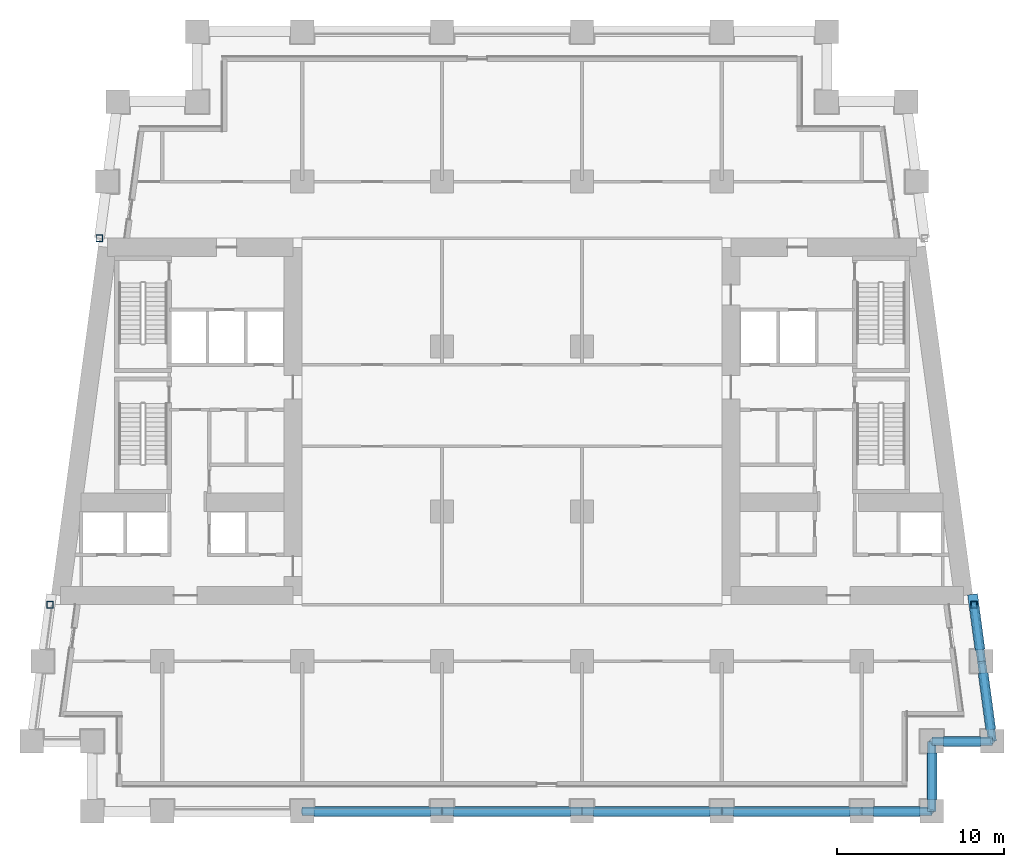
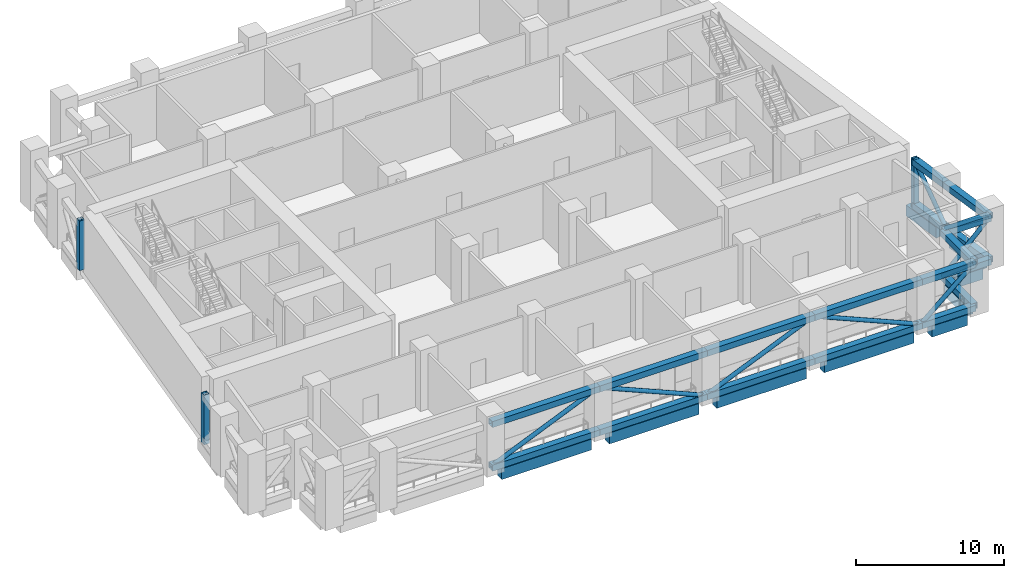
# One storey, part 2 of 12: 30 members, 9 beams.
"""IFC4 building model written with IfcOpenShell, lengths in metres."""

from ifc_helpers import new_model, si_unit, direction, frame, origin, origin_2d, place, context, subcontext, project, spatial, rectangle, hollow_rectangle, hollow_circle, extrude, material, material_profile, profile_set, type_object, element, save


model = new_model("IFC4")

# Units and contexts
model_context = context("Model", 3, precision=1e-05, world=origin(), true_north=direction((0.0, 1.0)))
body_context = subcontext(model_context, "Body", "Model", "MODEL_VIEW")
ifc_project = project(units=[si_unit("LENGTHUNIT", "METRE"), si_unit("AREAUNIT", "SQUARE_METRE"), si_unit("VOLUMEUNIT", "CUBIC_METRE"), si_unit("PLANEANGLEUNIT", "RADIAN"), si_unit("MASSUNIT", "GRAM", prefix="KILO")], contexts=[model_context])

# Site, building, storey
site_placement = place(None, origin())
site = spatial("IfcSite", under=ifc_project, at=site_placement, CompositionType="ELEMENT")
building_placement = place(site_placement, origin())
building = spatial("IfcBuilding", under=site, at=building_placement, Name="Candeia Pilgrim Tower and Theatre", CompositionType="ELEMENT")
storey_placement = place(building_placement, frame((0.0, 0.0, 81.0)))
storey = spatial("IfcBuildingStorey", under=building, at=storey_placement, Name="L18", CompositionType="ELEMENT", Elevation=81.0)

# Members
ifc_material_1 = material(Name="Structural steel ASTM A572 Grade 50", Category="steel")
ifc_material_profile_1 = material_profile(ifc_material_1, hollow_rectangle(XDim=0.39990234375, YDim=0.39990234375, WallThickness=0.02490234375, at=origin_2d()))
ifc_profile_set_1 = profile_set([ifc_material_profile_1], Name="Structural steel ASTM A572 Grade 50")
member_type_1 = type_object("IfcMemberType", Name="BOX 400x400x25 post", PredefinedType="POST", material=ifc_profile_set_1)
for number, where, z_axis, x_axis, name in (
    (1, (141.130859375, 110.39990234375, 0.0), (0.0, 0.0, 1.0), (1.0, 0.0, 0.0), "Belt truss post TBL18"),
    (2, (88.630859375, 132.39990234375, 0.0), (0.0, 0.0, 1.0), (1.0, 0.0, 0.0), "Belt truss post TBL18"),
    (3, (85.669189453125, 110.39990234375, 0.0), (0.0, 0.0, 1.0), (1.0, 0.0, 0.0), "Belt truss post TBL18"),
):
    element("IfcMember", number, at=place(storey_placement, frame(where, z_axis=z_axis, x_axis=x_axis)), inside=storey, type_object=member_type_1, Name=name, PredefinedType="POST", context=body_context, shape_type="SweptSolid", body=[
        extrude(hollow_rectangle(XDim=0.39990234375, YDim=0.39990234375, WallThickness=0.02490234375, at=origin_2d()), origin(), (0.0, 0.0, 1.0), 4.10009765625),
    ])
ifc_material_profile_2 = material_profile(ifc_material_1, hollow_rectangle(XDim=0.5, YDim=0.5, WallThickness=0.031982421875, at=origin_2d()))
ifc_profile_set_2 = profile_set([ifc_material_profile_2], Name="Structural steel ASTM A572 Grade 50")
member_type_2 = type_object("IfcMemberType", Name="BOX 500x500x32 chord", PredefinedType="CHORD", material=ifc_profile_set_2)
for number, where, z_axis, x_axis, name in (
    (4, (100.800048828125, 98.0, 0.25), (1.0, 0.0, 0.0), (0.0, 1.0, 0.0), "Belt truss bottom chord TBL18"),
    (5, (100.800048828125, 98.0, 3.85009765625), (1.0, 0.0, 0.0), (0.0, 1.0, 0.0), "Belt truss top chord TBL18"),
):
    element("IfcMember", number, at=place(storey_placement, frame(where, z_axis=z_axis, x_axis=x_axis)), inside=storey, type_object=member_type_2, Name=name, PredefinedType="CHORD", context=body_context, shape_type="SweptSolid", body=[
        extrude(hollow_rectangle(XDim=0.5, YDim=0.5, WallThickness=0.031982421875, at=origin_2d()), origin(), (0.0, 0.0, 1.0), 8.39990234375),
    ])
for number, where, z_axis, x_axis, name in (
    (6, (109.199951171875, 98.0, 0.25), (1.0, 0.0, 0.0), (0.0, 1.0, 0.0), "Belt truss bottom chord TBL18"),
    (7, (109.199951171875, 98.0, 3.85009765625), (1.0, 0.0, 0.0), (0.0, 1.0, 0.0), "Belt truss top chord TBL18"),
):
    element("IfcMember", number, at=place(storey_placement, frame(where, z_axis=z_axis, x_axis=x_axis)), inside=storey, type_object=member_type_2, Name=name, PredefinedType="CHORD", context=body_context, shape_type="SweptSolid", body=[
        extrude(hollow_rectangle(XDim=0.5, YDim=0.5, WallThickness=0.031982421875, at=origin_2d()), origin(), (0.0, 0.0, 1.0), 8.400146484375),
    ])
for number, where, z_axis, x_axis, name in (
    (8, (117.60009765625, 98.0, 0.25), (1.0, 0.0, 0.0), (0.0, 1.0, 0.0), "Belt truss bottom chord TBL18"),
    (9, (117.60009765625, 98.0, 3.85009765625), (1.0, 0.0, 0.0), (0.0, 1.0, 0.0), "Belt truss top chord TBL18"),
    (10, (126.0, 98.0, 0.25), (1.0, 0.0, 0.0), (0.0, 1.0, 0.0), "Belt truss bottom chord TBL18"),
    (11, (126.0, 98.0, 3.85009765625), (1.0, 0.0, 0.0), (0.0, 1.0, 0.0), "Belt truss top chord TBL18"),
):
    element("IfcMember", number, at=place(storey_placement, frame(where, z_axis=z_axis, x_axis=x_axis)), inside=storey, type_object=member_type_2, Name=name, PredefinedType="CHORD", context=body_context, shape_type="SweptSolid", body=[
        extrude(hollow_rectangle(XDim=0.5, YDim=0.5, WallThickness=0.031982421875, at=origin_2d()), origin(), (0.0, 0.0, 1.0), 8.39990234375),
    ])
for number, where, z_axis, x_axis, name in (
    (12, (134.39990234375, 98.0, 0.25), (1.0, 0.0, 0.0), (0.0, 1.0, 0.0), "Belt truss bottom chord TBL18"),
    (13, (134.39990234375, 98.0, 3.85009765625), (1.0, 0.0, 0.0), (0.0, 1.0, 0.0), "Belt truss top chord TBL18"),
):
    element("IfcMember", number, at=place(storey_placement, frame(where, z_axis=z_axis, x_axis=x_axis)), inside=storey, type_object=member_type_2, Name=name, PredefinedType="CHORD", context=body_context, shape_type="SweptSolid", body=[
        extrude(hollow_rectangle(XDim=0.5, YDim=0.5, WallThickness=0.031982421875, at=origin_2d()), origin(), (0.0, 0.0, 1.0), 4.2001953125),
    ])
for number, where, z_axis, x_axis, name in (
    (14, (138.60009765625, 98.0, 0.25), (0.0, 1.0, 0.0), (-1.0, 0.0, 0.0), "Belt truss bottom chord TBL18"),
    (15, (138.60009765625, 98.0, 3.85009765625), (0.0, 1.0, 0.0), (-1.0, 0.0, 0.0), "Belt truss top chord TBL18"),
):
    element("IfcMember", number, at=place(storey_placement, frame(where, z_axis=z_axis, x_axis=x_axis)), inside=storey, type_object=member_type_2, Name=name, PredefinedType="CHORD", context=body_context, shape_type="SweptSolid", body=[
        extrude(hollow_rectangle(XDim=0.5, YDim=0.5, WallThickness=0.031982421875, at=origin_2d()), origin(), (0.0, 0.0, 1.0), 4.199951171875),
    ])
for number, where, z_axis, x_axis, name in (
    (16, (138.60009765625, 102.199951171875, 0.25), (1.0, 0.0, 0.0), (0.0, 1.0, 0.0), "Belt truss bottom chord TBL18"),
    (17, (138.60009765625, 102.199951171875, 3.85009765625), (1.0, 0.0, 0.0), (0.0, 1.0, 0.0), "Belt truss top chord TBL18"),
):
    element("IfcMember", number, at=place(storey_placement, frame(where, z_axis=z_axis, x_axis=x_axis)), inside=storey, type_object=member_type_2, Name=name, PredefinedType="CHORD", context=body_context, shape_type="SweptSolid", body=[
        extrude(hollow_rectangle(XDim=0.5, YDim=0.5, WallThickness=0.031982421875, at=origin_2d()), origin(), (0.0, 0.0, 1.0), 3.634521484375),
    ])
for number, where, z_axis, x_axis, name in (
    (18, (142.234619140625, 102.199951171875, 0.25), (-0.133428198131, 0.991058482605, 0.0), (-0.991058482605, -0.133428198131, 0.0), "Belt truss bottom chord TBL18"),
    (19, (142.234619140625, 102.199951171875, 3.85009765625), (-0.133428198131, 0.991058482605, 0.0), (-0.991058482605, -0.133428198131, 0.0), "Belt truss top chord TBL18"),
):
    element("IfcMember", number, at=place(storey_placement, frame(where, z_axis=z_axis, x_axis=x_axis)), inside=storey, type_object=member_type_2, Name=name, PredefinedType="CHORD", context=body_context, shape_type="SweptSolid", body=[
        extrude(hollow_rectangle(XDim=0.5, YDim=0.5, WallThickness=0.031982421875, at=origin_2d()), origin(), (0.0, 0.0, 1.0), 4.84326171875),
    ])
for number, where, z_axis, x_axis, name in (
    (20, (141.58837890625, 107.0, 0.25), (-0.13336630817, 0.991066813008, 0.0), (-0.991066813008, -0.13336630817, 0.0), "Belt truss bottom chord TBL18"),
    (21, (141.58837890625, 107.0, 3.85009765625), (-0.13336630817, 0.991066813008, 0.0), (-0.991066813008, -0.13336630817, 0.0), "Belt truss top chord TBL18"),
):
    element("IfcMember", number, at=place(storey_placement, frame(where, z_axis=z_axis, x_axis=x_axis)), inside=storey, type_object=member_type_2, Name=name, PredefinedType="CHORD", context=body_context, shape_type="SweptSolid", body=[
        extrude(hollow_rectangle(XDim=0.5, YDim=0.5, WallThickness=0.031982421875, at=origin_2d()), origin(), (0.0, 0.0, 1.0), 3.4306640625),
    ])
ifc_material_profile_3 = material_profile(ifc_material_1, hollow_circle(Radius=0.161865234375, WallThickness=0.012451171875, at=origin_2d()))
ifc_profile_set_3 = profile_set([ifc_material_profile_3], Name="Structural steel ASTM A572 Grade 50")
member_type_3 = type_object("IfcMemberType", Name="CHS 324x12.5 brace", PredefinedType="BRACE", material=ifc_profile_set_3)
member_1_placement = place(storey_placement, frame((100.800048828125, 98.0, 0.25), z_axis=(0.919139502787, 0.0, 0.393932195201), x_axis=(0.0, 1.0, 0.0)))
element("IfcMember", 22, at=member_1_placement, inside=storey, type_object=member_type_3, Name="Belt truss diagonal TBL18", PredefinedType="BRACE", context=body_context, shape_type="SweptSolid", body=[
    extrude(hollow_circle(Radius=0.161865234375, WallThickness=0.012451171875, at=origin_2d()), origin(), (0.0, 0.0, 1.0), 9.138916015625),
])
member_2_placement = place(storey_placement, frame((117.60009765625, 98.0, 0.25), z_axis=(-0.919143648261, 0.0, 0.393922522663), x_axis=(0.0, -1.0, 0.0)))
element("IfcMember", 23, at=member_2_placement, inside=storey, type_object=member_type_3, Name="Belt truss diagonal TBL18", PredefinedType="BRACE", context=body_context, shape_type="SweptSolid", body=[
    extrude(hollow_circle(Radius=0.161865234375, WallThickness=0.012451171875, at=origin_2d()), origin(), (0.0, 0.0, 1.0), 9.13916015625),
])
for number, where, z_axis, x_axis, name in (
    (24, (117.60009765625, 98.0, 0.25), (0.919139502787, 0.0, 0.393932195201), (0.0, 1.0, 0.0), "Belt truss diagonal TBL18"),
    (25, (134.39990234375, 98.0, 0.25), (-0.919139502787, 0.0, 0.393932195201), (0.0, -1.0, 0.0), "Belt truss diagonal TBL18"),
):
    element("IfcMember", number, at=place(storey_placement, frame(where, z_axis=z_axis, x_axis=x_axis)), inside=storey, type_object=member_type_3, Name=name, PredefinedType="BRACE", context=body_context, shape_type="SweptSolid", body=[
        extrude(hollow_circle(Radius=0.161865234375, WallThickness=0.012451171875, at=origin_2d()), origin(), (0.0, 0.0, 1.0), 9.138916015625),
    ])
member_3_placement = place(storey_placement, frame((134.39990234375, 98.0, 0.25), z_axis=(0.759262832861, 0.0, 0.650784104474), x_axis=(0.0, 1.0, 0.0)))
element("IfcMember", 26, at=member_3_placement, inside=storey, type_object=member_type_3, Name="Belt truss diagonal TBL18", PredefinedType="BRACE", context=body_context, shape_type="SweptSolid", body=[
    extrude(hollow_circle(Radius=0.161865234375, WallThickness=0.012451171875, at=origin_2d()), origin(), (0.0, 0.0, 1.0), 5.531982421875),
])
member_4_placement = place(storey_placement, frame((138.60009765625, 102.199951171875, 0.25), z_axis=(0.0, -0.759244140748, 0.650805911728), x_axis=(1.0, 0.0, 0.0)))
element("IfcMember", 27, at=member_4_placement, inside=storey, type_object=member_type_3, Name="Belt truss diagonal TBL18", PredefinedType="BRACE", context=body_context, shape_type="SweptSolid", body=[
    extrude(hollow_circle(Radius=0.161865234375, WallThickness=0.012451171875, at=origin_2d()), origin(), (0.0, 0.0, 1.0), 5.53173828125),
])
member_5_placement = place(storey_placement, frame((138.60009765625, 102.199951171875, 0.25), z_axis=(0.710463300268, 0.0, 0.70373425309), x_axis=(0.0, 1.0, 0.0)))
element("IfcMember", 28, at=member_5_placement, inside=storey, type_object=member_type_3, Name="Belt truss diagonal TBL18", PredefinedType="BRACE", context=body_context, shape_type="SweptSolid", body=[
    extrude(hollow_circle(Radius=0.161865234375, WallThickness=0.012451171875, at=origin_2d()), origin(), (0.0, 0.0, 1.0), 5.11572265625),
])
member_6_placement = place(storey_placement, frame((141.58837890625, 107.0, 0.25), z_axis=(0.107085627886, -0.795394986726, 0.596556353912), x_axis=(0.991058482605, 0.133428198131, 0.0)))
element("IfcMember", 29, at=member_6_placement, inside=storey, type_object=member_type_3, Name="Belt truss diagonal TBL18", PredefinedType="BRACE", context=body_context, shape_type="SweptSolid", body=[
    extrude(hollow_circle(Radius=0.161865234375, WallThickness=0.012451171875, at=origin_2d()), origin(), (0.0, 0.0, 1.0), 6.034912109375),
])
member_7_placement = place(storey_placement, frame((141.58837890625, 107.0, 0.25), z_axis=(-0.092003250638, 0.683691178435, 0.723948737413), x_axis=(-0.991066813008, -0.13336630817, 0.0)))
element("IfcMember", 30, at=member_7_placement, inside=storey, type_object=member_type_3, Name="Belt truss diagonal TBL18", PredefinedType="BRACE", context=body_context, shape_type="SweptSolid", body=[
    extrude(hollow_circle(Radius=0.161865234375, WallThickness=0.012451171875, at=origin_2d()), origin(), (0.0, 0.0, 1.0), 4.972900390625),
])

# Beams
ifc_material_2 = material(Name="Concrete C80/95", Category="concrete")
ifc_material_profile_4 = material_profile(ifc_material_2, rectangle(XDim=0.60009765625, YDim=0.89990234375, at=origin_2d()))
ifc_profile_set_4 = profile_set([ifc_material_profile_4], Name="Concrete C80/95")
beam_type = type_object("IfcBeamType", Name="RC 600x900 C80/95", PredefinedType="BEAM", material=ifc_profile_set_4)
for number, where, z_axis, x_axis, name in (
    (31, (101.5, 98.0, -0.449951171875), (1.0, 0.0, 0.0), (0.0, 1.0, 0.0), "Spandrel beam L18-03"),
    (32, (109.89990234375, 98.0, -0.449951171875), (1.0, 0.0, 0.0), (0.0, 1.0, 0.0), "Spandrel beam L18-04"),
    (33, (118.300048828125, 98.0, -0.449951171875), (1.0, 0.0, 0.0), (0.0, 1.0, 0.0), "Spandrel beam L18-05"),
    (34, (126.699951171875, 98.0, -0.449951171875), (1.0, 0.0, 0.0), (0.0, 1.0, 0.0), "Spandrel beam L18-06"),
):
    element("IfcBeam", number, at=place(storey_placement, frame(where, z_axis=z_axis, x_axis=x_axis)), inside=storey, type_object=beam_type, Name=name, PredefinedType="BEAM", context=body_context, shape_type="SweptSolid", body=[
        extrude(rectangle(XDim=0.60009765625, YDim=0.89990234375, at=origin_2d()), origin(), (0.0, 0.0, 1.0), 7.0),
    ])
beam_1_placement = place(storey_placement, frame((135.10009765625, 98.0, -0.449951171875), z_axis=(1.0, 0.0, 0.0), x_axis=(0.0, 1.0, 0.0)))
element("IfcBeam", 35, at=beam_1_placement, inside=storey, type_object=beam_type, Name="Spandrel beam L18-07", PredefinedType="BEAM", context=body_context, shape_type="SweptSolid", body=[
    extrude(rectangle(XDim=0.60009765625, YDim=0.89990234375, at=origin_2d()), origin(), (0.0, 0.0, 1.0), 2.7998046875),
])
beam_2_placement = place(storey_placement, frame((138.60009765625, 98.699951171875, -0.449951171875), z_axis=(0.0, 1.0, 0.0), x_axis=(-1.0, 0.0, 0.0)))
element("IfcBeam", 36, at=beam_2_placement, inside=storey, type_object=beam_type, Name="Spandrel beam L18-08", PredefinedType="BEAM", context=body_context, shape_type="SweptSolid", body=[
    extrude(rectangle(XDim=0.60009765625, YDim=0.89990234375, at=origin_2d()), origin(), (0.0, 0.0, 1.0), 2.800048828125),
])
beam_3_placement = place(storey_placement, frame((139.300048828125, 102.199951171875, -0.449951171875), z_axis=(1.0, 0.0, 0.0), x_axis=(0.0, 1.0, 0.0)))
element("IfcBeam", 37, at=beam_3_placement, inside=storey, type_object=beam_type, Name="Spandrel beam L18-09", PredefinedType="BEAM", context=body_context, shape_type="SweptSolid", body=[
    extrude(rectangle(XDim=0.60009765625, YDim=0.89990234375, at=origin_2d()), origin(), (0.0, 0.0, 1.0), 2.234619140625),
])
beam_4_placement = place(storey_placement, frame((142.140380859375, 102.89990234375, -0.449951171875), z_axis=(-0.133426797477, 0.991058671177, 0.0), x_axis=(-0.991058671177, -0.133426797477, 0.0)))
element("IfcBeam", 38, at=beam_4_placement, inside=storey, type_object=beam_type, Name="Spandrel beam L18-10", PredefinedType="BEAM", context=body_context, shape_type="SweptSolid", body=[
    extrude(rectangle(XDim=0.60009765625, YDim=0.89990234375, at=origin_2d()), origin(), (0.0, 0.0, 1.0), 3.430908203125),
])
beam_5_placement = place(storey_placement, frame((141.494140625, 107.699951171875, -0.449951171875), z_axis=(-0.13337488337, 0.991065659019, 0.0), x_axis=(-0.991065659019, -0.13337488337, 0.0)))
element("IfcBeam", 39, at=beam_5_placement, inside=storey, type_object=beam_type, Name="Spandrel beam L18-11", PredefinedType="BEAM", context=body_context, shape_type="SweptSolid", body=[
    extrude(rectangle(XDim=0.60009765625, YDim=0.89990234375, at=origin_2d()), origin(), (0.0, 0.0, 1.0), 3.353515625),
])

save(model, "model.ifc")
